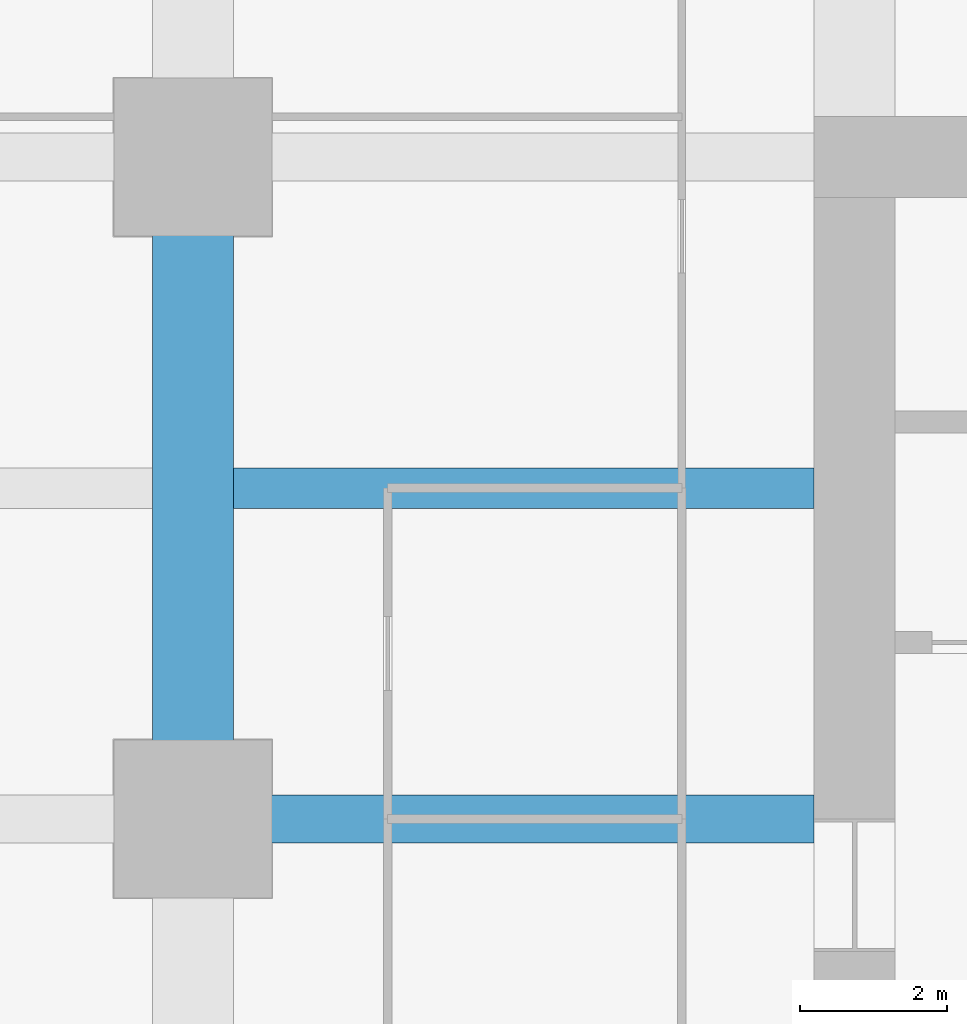
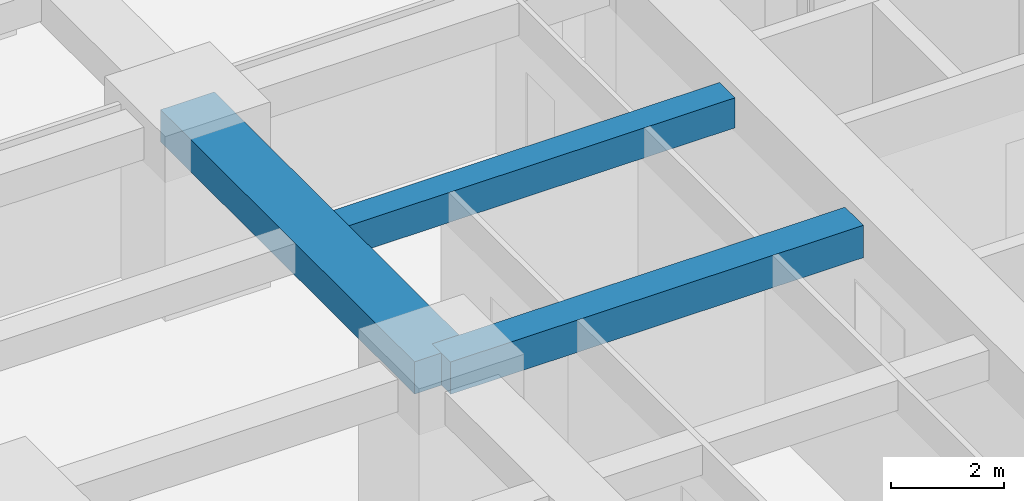
# One storey, part 12 of 44: 3 beams.
"""IFC4 building model written with IfcOpenShell, lengths in metres."""

from ifc_helpers import new_model, si_unit, direction, frame, origin, origin_2d, place, context, subcontext, project, spatial, rectangle, extrude, material, material_profile, profile_set, type_object, element, save


model = new_model("IFC4")

# Units and contexts
model_context = context("Model", 3, precision=1e-05, world=origin(), true_north=direction((0.0, 1.0)))
body_context = subcontext(model_context, "Body", "Model", "MODEL_VIEW")
ifc_project = project(units=[si_unit("LENGTHUNIT", "METRE"), si_unit("AREAUNIT", "SQUARE_METRE"), si_unit("VOLUMEUNIT", "CUBIC_METRE"), si_unit("PLANEANGLEUNIT", "RADIAN"), si_unit("MASSUNIT", "GRAM", prefix="KILO")], contexts=[model_context])

# Site, building, storey
site_placement = place(None, origin())
site = spatial("IfcSite", under=ifc_project, at=site_placement, CompositionType="ELEMENT")
building_placement = place(site_placement, origin())
building = spatial("IfcBuilding", under=site, at=building_placement, Name="Zorevar Civic Tower", CompositionType="ELEMENT")
storey_placement = place(building_placement, frame((0.0, 0.0, 51.800048828125)))
storey = spatial("IfcBuildingStorey", under=building, at=storey_placement, Name="L12", CompositionType="ELEMENT", Elevation=51.800048828125)

# Beams
ifc_material_1 = material(Name="Concrete C50/60", Category="concrete")
ifc_material_profile_1 = material_profile(ifc_material_1, rectangle(XDim=1.10009765625, YDim=0.699951171875, at=origin_2d()), Name="RC 1100x700")
ifc_profile_set_1 = profile_set([ifc_material_profile_1], Name="Concrete C50/60")
beam_type_1 = type_object("IfcBeamType", Name="Beam RC 1100x700", PredefinedType="BEAM", material=ifc_profile_set_1)
beam_1_placement = place(storey_placement, frame((9.0, 27.0, 3.39990234375), z_axis=(0.0, 1.0, 0.0), x_axis=(-1.0, 0.0, 0.0)))
element("IfcBeam", 1, at=beam_1_placement, inside=storey, type_object=beam_type_1, Name="Girder L13", PredefinedType="BEAM", context=body_context, shape_type="SweptSolid", body=[
    extrude(rectangle(XDim=1.10009765625, YDim=0.699951171875, at=origin_2d()), origin(), (0.0, 0.0, 1.0), 9.0),
])
ifc_material_2 = material(Name="Concrete C50/60", Category="concrete")
ifc_material_profile_2 = material_profile(ifc_material_2, rectangle(XDim=0.550048828125, YDim=0.64990234375, at=origin_2d()), Name="RC 550x650")
ifc_profile_set_2 = profile_set([ifc_material_profile_2], Name="Concrete C50/60")
beam_type_2 = type_object("IfcBeamType", Name="Beam RC 550x650", PredefinedType="BEAM", material=ifc_profile_set_2)
beam_2_placement = place(storey_placement, frame((9.550048828125, 31.5, 3.425048828125), z_axis=(1.0, 0.0, 0.0), x_axis=(0.0, 1.0, 0.0)))
element("IfcBeam", 2, at=beam_2_placement, inside=storey, type_object=beam_type_2, Name="Secondary beam L13", PredefinedType="BEAM", context=body_context, shape_type="SweptSolid", body=[
    extrude(rectangle(XDim=0.550048828125, YDim=0.64990234375, at=origin_2d()), origin(), (0.0, 0.0, 1.0), 7.89990234375),
])
ifc_material_3 = material(Name="Concrete C50/60", Category="concrete")
ifc_material_profile_3 = material_profile(ifc_material_3, rectangle(XDim=0.64990234375, YDim=0.699951171875, at=origin_2d()), Name="RC 650x700")
ifc_profile_set_3 = profile_set([ifc_material_profile_3], Name="Concrete C50/60")
beam_type_3 = type_object("IfcBeamType", Name="Beam RC 650x700", PredefinedType="BEAM", material=ifc_profile_set_3)
beam_3_placement = place(storey_placement, frame((9.0, 27.0, 3.39990234375), z_axis=(1.0, 0.0, 0.0), x_axis=(0.0, 1.0, 0.0)))
element("IfcBeam", 3, at=beam_3_placement, inside=storey, type_object=beam_type_3, Name="Girder L13", PredefinedType="BEAM", context=body_context, shape_type="SweptSolid", body=[
    extrude(rectangle(XDim=0.64990234375, YDim=0.699951171875, at=origin_2d()), origin(), (0.0, 0.0, 1.0), 8.449951171875),
])

save(model, "model.ifc")
